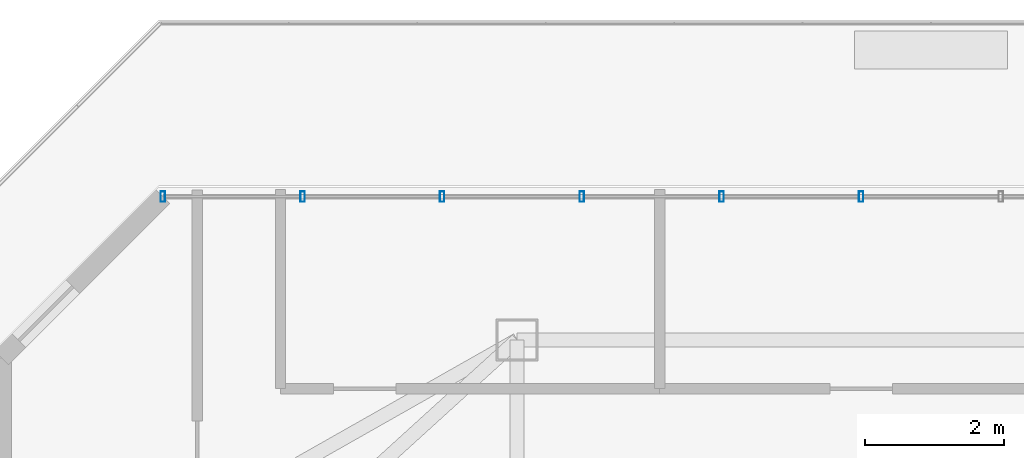
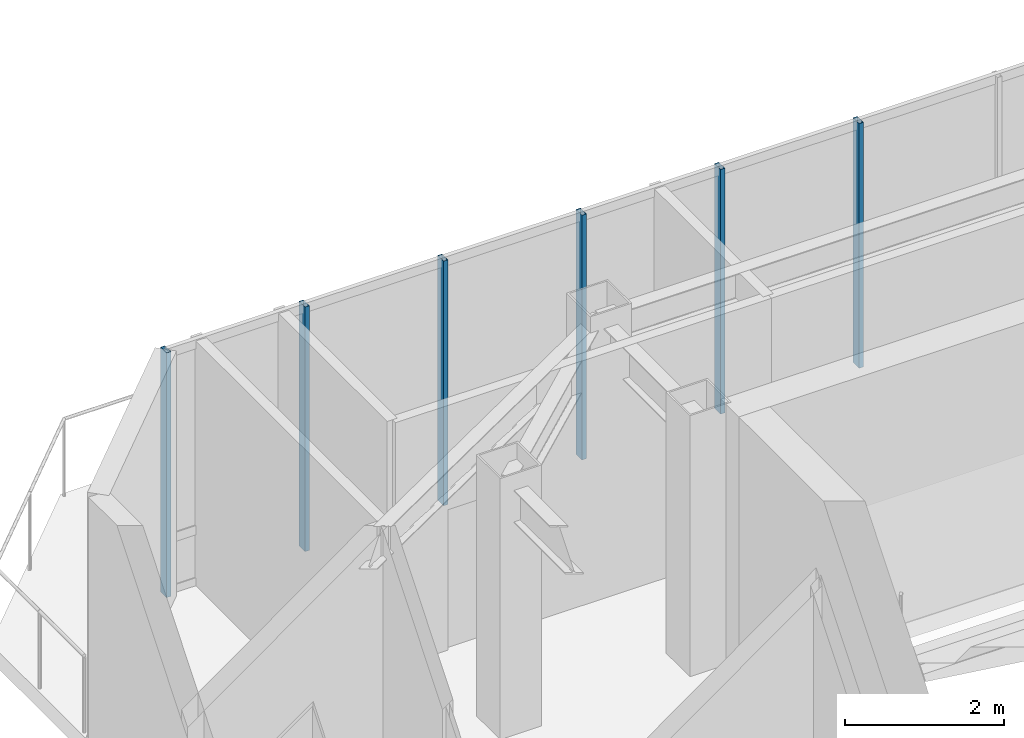
# One storey, part 11 of 21: 6 members, 1 element without a shape of its own.
"""IFC4 building model written with IfcOpenShell, lengths in metres."""

from ifc_helpers import new_model, si_unit, direction, frame, origin, origin_2d, place, context, subcontext, project, spatial, hollow_rectangle, extrude, material, layer, layer_set, material_profile, profile_set, type_object, element, aggregate, save


model = new_model("IFC4")

# Units and contexts
model_context = context("Model", 3, precision=1e-05, world=origin(), true_north=direction((0.0, 1.0)))
body_context = subcontext(model_context, "Body", "Model", "MODEL_VIEW")
ifc_project = project(units=[si_unit("LENGTHUNIT", "METRE"), si_unit("AREAUNIT", "SQUARE_METRE"), si_unit("VOLUMEUNIT", "CUBIC_METRE"), si_unit("PLANEANGLEUNIT", "RADIAN"), si_unit("MASSUNIT", "GRAM", prefix="KILO")], contexts=[model_context])

# Site, building, storey
site_placement = place(None, origin())
site = spatial("IfcSite", under=ifc_project, at=site_placement, CompositionType="ELEMENT")
building_placement = place(site_placement, origin())
building = spatial("IfcBuilding", under=site, at=building_placement, Name="Hatsunagi Terrace Concourse", CompositionType="ELEMENT")
storey_placement = place(building_placement, frame((0.0, 0.0, 265.949951171875)))
storey = spatial("IfcBuildingStorey", under=building, at=storey_placement, Name="L70", CompositionType="ELEMENT", Elevation=265.949951171875)

# Curtain wall, members
ifc_material_1 = material(Name="Anodised Aluminium Alloy 6063-T5", Category="aluminium")
ifc_layer = layer(ifc_material_1, 0.199951171875)
ifc_layer_set = layer_set([ifc_layer], Name="CrownWintergarden_CW06")
curtain_wall_type = type_object("IfcCurtainWallType", Name="CrownWintergarden_CW06", PredefinedType="NOTDEFINED", material=ifc_layer_set)
curtain_wall_placement = place(storey_placement, origin())
curtain_wall = element("IfcCurtainWall", 1, at=curtain_wall_placement, inside=storey, type_object=curtain_wall_type, Name="Unitised Curtain Wall CW-06 CW-L70-10", PredefinedType="NOTDEFINED")
ifc_material_2 = material(Name="Anodised Aluminium Alloy 6063-T5", Category="aluminium")
ifc_material_profile = material_profile(ifc_material_2, hollow_rectangle(XDim=0.06494140625, YDim=0.14990234375, WallThickness=0.00390625, at=origin_2d()), Name="ALU-MUL-150x65x4")
ifc_profile_set = profile_set([ifc_material_profile], Name="Anodised Aluminium Alloy 6063-T5")
member_type = type_object("IfcMemberType", Name="CurtainWallMullion_Crown_150x65", PredefinedType="MULLION", material=ifc_profile_set)
member_1_placement = place(storey_placement, frame((20.4580078125, 47.860107421875, 0.0), z_axis=(0.0, 0.0, 1.0), x_axis=(1.0, 0.0, 0.0)))
member_1 = element("IfcMember", 2, at=member_1_placement, type_object=member_type, Name="Curtain Wall Mullion MUL-03", PredefinedType="MULLION", context=body_context, shape_type="SweptSolid", body=[
    extrude(hollow_rectangle(XDim=0.06494140625, YDim=0.14990234375, WallThickness=0.00390625, at=origin_2d()), origin(), (0.0, 0.0, 1.0), 3.75),
])
member_2_placement = place(storey_placement, frame((22.466064453125, 47.860107421875, 0.0), z_axis=(0.0, 0.0, 1.0), x_axis=(1.0, 0.0, 0.0)))
member_2 = element("IfcMember", 3, at=member_2_placement, type_object=member_type, Name="Curtain Wall Mullion MUL-03", PredefinedType="MULLION", context=body_context, shape_type="SweptSolid", body=[
    extrude(hollow_rectangle(XDim=0.06494140625, YDim=0.14990234375, WallThickness=0.00390625, at=origin_2d()), origin(), (0.0, 0.0, 1.0), 3.75),
])
member_3_placement = place(storey_placement, frame((24.472900390625, 47.860107421875, 0.0), z_axis=(0.0, 0.0, 1.0), x_axis=(1.0, 0.0, 0.0)))
member_3 = element("IfcMember", 4, at=member_3_placement, type_object=member_type, Name="Curtain Wall Mullion MUL-03", PredefinedType="MULLION", context=body_context, shape_type="SweptSolid", body=[
    extrude(hollow_rectangle(XDim=0.06494140625, YDim=0.14990234375, WallThickness=0.00390625, at=origin_2d()), origin(), (0.0, 0.0, 1.0), 3.75),
])
member_4_placement = place(storey_placement, frame((26.48095703125, 47.860107421875, 0.0), z_axis=(0.0, 0.0, 1.0), x_axis=(1.0, 0.0, 0.0)))
member_4 = element("IfcMember", 5, at=member_4_placement, type_object=member_type, Name="Curtain Wall Mullion MUL-03", PredefinedType="MULLION", context=body_context, shape_type="SweptSolid", body=[
    extrude(hollow_rectangle(XDim=0.06494140625, YDim=0.14990234375, WallThickness=0.00390625, at=origin_2d()), origin(), (0.0, 0.0, 1.0), 3.75),
])
member_5_placement = place(storey_placement, frame((28.489013671875, 47.860107421875, 0.0), z_axis=(0.0, 0.0, 1.0), x_axis=(1.0, 0.0, 0.0)))
member_5 = element("IfcMember", 6, at=member_5_placement, type_object=member_type, Name="Curtain Wall Mullion MUL-03", PredefinedType="MULLION", context=body_context, shape_type="SweptSolid", body=[
    extrude(hollow_rectangle(XDim=0.06494140625, YDim=0.14990234375, WallThickness=0.00390625, at=origin_2d()), origin(), (0.0, 0.0, 1.0), 3.75),
])
member_6_placement = place(storey_placement, frame((30.49609375, 47.860107421875, 0.0), z_axis=(0.0, 0.0, 1.0), x_axis=(1.0, 0.0, 0.0)))
member_6 = element("IfcMember", 7, at=member_6_placement, type_object=member_type, Name="Curtain Wall Mullion MUL-03", PredefinedType="MULLION", context=body_context, shape_type="SweptSolid", body=[
    extrude(hollow_rectangle(XDim=0.06494140625, YDim=0.14990234375, WallThickness=0.00390625, at=origin_2d()), origin(), (0.0, 0.0, 1.0), 3.75),
])
aggregate(curtain_wall, [member_1, member_2, member_3, member_4, member_5, member_6])

save(model, "model.ifc")
